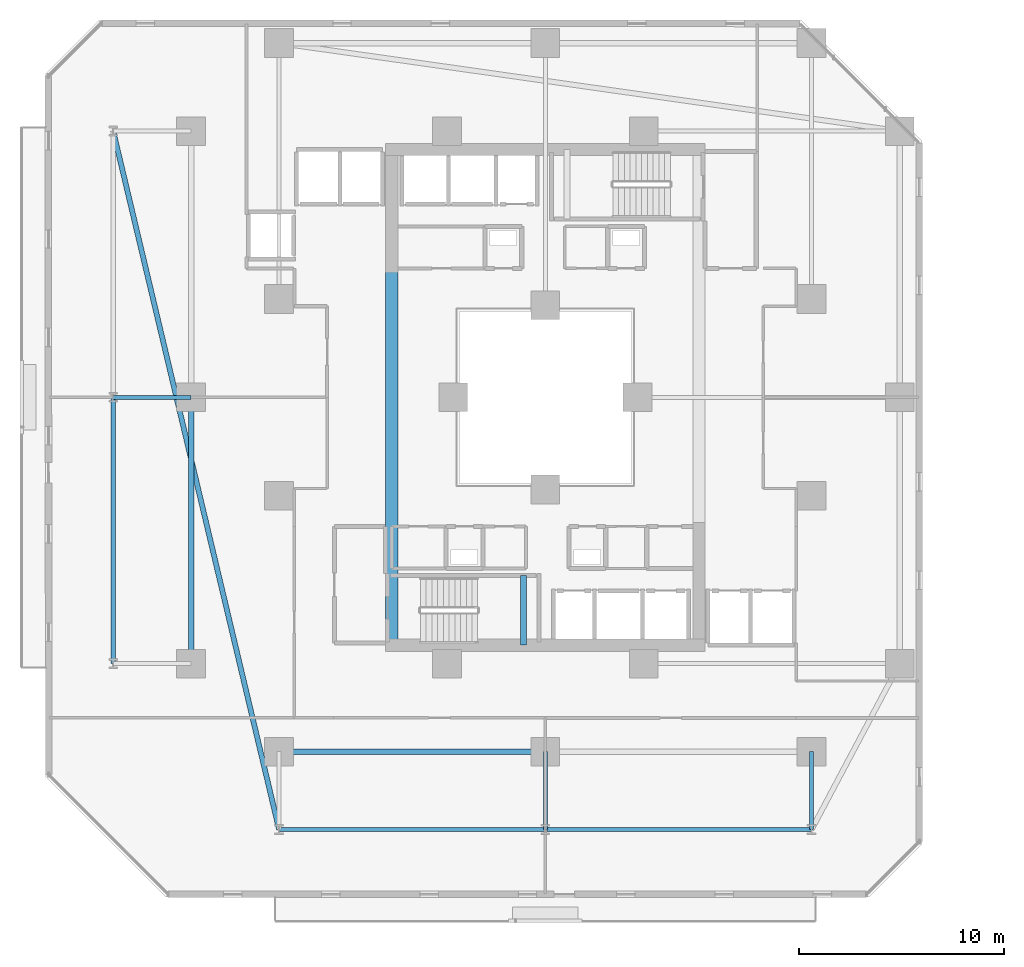
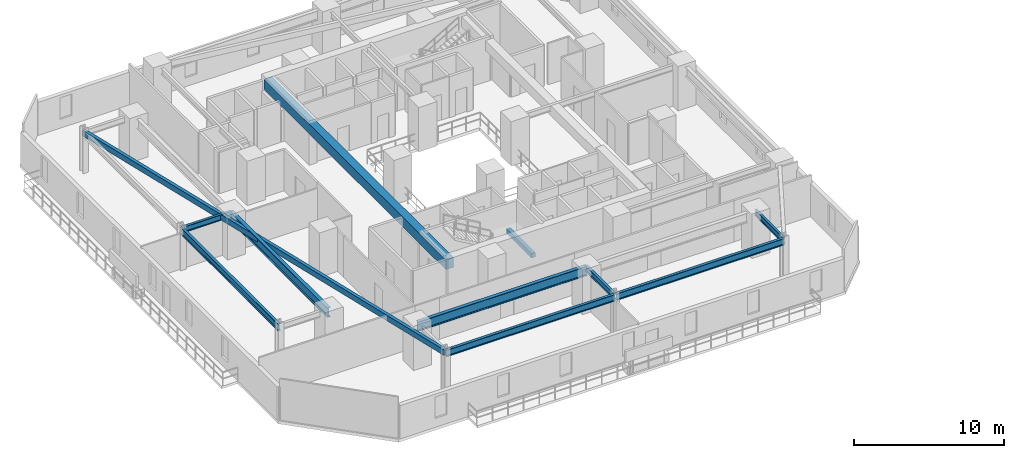
# One storey, part 4 of 33: 11 beams.
"""IFC4 building model written with IfcOpenShell, lengths in metres."""

import ifcopenshell
import ifcopenshell.guid

model = None  # the IFC model being written
_history = None  # IfcOwnerHistory: only IFC2X3 demands one
_inside = {}  # id of a spatial element -> (the spatial element, [elements in it])
_under = {}  # id of a project, library or spatial element -> (it, [spatial elements below it])
_declared = {}  # id of a project -> (the project, [libraries it declares])
_typed = {}  # id of a type object -> (the type object, [elements of that type])
_made_of = {}  # id of a material, layer set ... -> (it, [elements and type objects made of it])


def new_model(schema):
    """Start an empty IFC model of exactly this schema.

    Asked for "IFC4X3", IfcOpenShell would pick the latest addendum, in which some entities
    have other attributes; the version numbers below select the first issue.
    IFC2X3 requires an IfcOwnerHistory on every rooted entity: one is made here for all.
    """
    global model, _history
    if schema == "IFC4X3":
        model = ifcopenshell.file(schema_version=(4, 3, 0, 0))
    else:
        model = ifcopenshell.file(schema=schema)
    _inside.clear()
    _under.clear()
    _declared.clear()
    _typed.clear()
    _made_of.clear()
    _history = None
    if model.schema == "IFC2X3":
        org = make("IfcOrganization", Name="unknown")
        user = make(
            "IfcPersonAndOrganization",
            ThePerson=make("IfcPerson", FamilyName="unknown"),
            TheOrganization=org,
        )
        app = make(
            "IfcApplication",
            ApplicationDeveloper=org,
            Version="unknown",
            ApplicationFullName="unknown",
            ApplicationIdentifier="unknown",
        )
        _history = make(
            "IfcOwnerHistory",
            OwningUser=user,
            OwningApplication=app,
            ChangeAction="ADDED",
            CreationDate=0,
        )
    return model


def make(cls, **values):
    """One entity of the class cls with the attributes given. An attribute that is None is left unset."""
    return model.create_entity(
        cls, **{name: value for name, value in values.items() if value is not None}
    )


def rooted(cls, **values):
    """An entity with a GlobalId (a new one), such as an element, a storey or a relation."""
    return make(cls, GlobalId=ifcopenshell.guid.new(), OwnerHistory=_history, **values)


def si_unit(unit_type, name, prefix=None):
    """IfcSIUnit, for example si_unit("LENGTHUNIT", "METRE", prefix="MILLI")."""
    return make("IfcSIUnit", UnitType=unit_type, Prefix=prefix, Name=name)


def assignment(units):
    """IfcUnitAssignment: the units of a project."""
    return None if units is None else make("IfcUnitAssignment", Units=units)


def point(xyz):
    """IfcCartesianPoint."""
    return None if xyz is None else make("IfcCartesianPoint", Coordinates=xyz)


def direction(xyz):
    """IfcDirection."""
    return None if xyz is None else make("IfcDirection", DirectionRatios=xyz)


def frame(location, z_axis=None, x_axis=None):
    """IfcAxis2Placement3D, a coordinate frame: its origin and axes. An axis left out is left unset."""
    return make(
        "IfcAxis2Placement3D",
        Location=point(location),
        Axis=direction(z_axis),
        RefDirection=direction(x_axis),
    )


def frame_2d(location, x_axis=None):
    """IfcAxis2Placement2D, a coordinate frame in the plane: its origin and x axis."""
    return make(
        "IfcAxis2Placement2D", Location=point(location), RefDirection=direction(x_axis)
    )


def origin():
    """The frame at (0, 0, 0) with its axes left unset."""
    return frame((0.0, 0.0, 0.0))


def origin_2d():
    """The frame at (0, 0) in the plane with its x axis left unset."""
    return frame_2d((0.0, 0.0))


def place(relative_to, where):
    """IfcLocalPlacement: puts the frame where relative to a parent placement (None: the world)."""
    return make(
        "IfcLocalPlacement", PlacementRelTo=relative_to, RelativePlacement=where
    )


def context(
    kind, dimensions, precision=None, world=None, true_north=None, identifier=None
):
    """IfcGeometricRepresentationContext, for example the 3D "Model" context."""
    return make(
        "IfcGeometricRepresentationContext",
        ContextIdentifier=identifier,
        ContextType=kind,
        CoordinateSpaceDimension=dimensions,
        Precision=precision,
        WorldCoordinateSystem=world,
        TrueNorth=true_north,
    )


def subcontext(parent, identifier, kind, view, scale=None):
    """IfcGeometricRepresentationSubContext, for example "Body" below "Model"."""
    return make(
        "IfcGeometricRepresentationSubContext",
        ContextIdentifier=identifier,
        ContextType=kind,
        ParentContext=parent,
        TargetScale=scale,
        TargetView=view,
    )


def project(units=None, contexts=None):
    """IfcProject with its units and contexts."""
    return rooted(
        "IfcProject",
        Name="project",
        RepresentationContexts=contexts,
        UnitsInContext=assignment(units),
    )


def spatial(cls, under=None, at=None, **own):
    """A site, building, storey or space (cls), placed at a placement, below another one or the project."""
    s = rooted(cls, ObjectPlacement=at, **own)
    if under is not None:
        _under.setdefault(under.id(), (under, []))[1].append(s)
    return s


def profile(cls, at=None, kind="AREA", **sizes):
    """A parametric profile (cls). Its sizes go by their IFC names, for example OverallWidth=200.0."""
    return make(cls, ProfileType=kind, Position=at, **sizes)


def rectangle(**sizes):
    """IfcRectangleProfileDef."""
    return profile("IfcRectangleProfileDef", **sizes)


def hollow_rectangle(**sizes):
    """IfcRectangleHollowProfileDef."""
    return profile("IfcRectangleHollowProfileDef", **sizes)


def i_section(**sizes):
    """IfcIShapeProfileDef."""
    return profile("IfcIShapeProfileDef", **sizes)


def extrude(swept, where, along, depth):
    """IfcExtrudedAreaSolid: the profile swept, set in the frame where, extruded along a direction by depth."""
    return make(
        "IfcExtrudedAreaSolid",
        SweptArea=swept,
        Position=where,
        ExtrudedDirection=direction(along),
        Depth=depth,
    )


def shape(context_of_items, identifier, shape_type, items):
    """IfcShapeRepresentation: the items that make up one representation, for example the "Body"."""
    return make(
        "IfcShapeRepresentation",
        ContextOfItems=context_of_items,
        RepresentationIdentifier=identifier,
        RepresentationType=shape_type,
        Items=items,
    )


def material(Name=None, Category=None):
    """IfcMaterial."""
    return make("IfcMaterial", Name=Name, Category=Category)


def material_profile(
    of_material, cross_section, Name=None, Category=None, Priority=None
):
    """IfcMaterialProfile: a cross section and its material."""
    return make(
        "IfcMaterialProfile",
        Name=Name,
        Material=of_material,
        Profile=cross_section,
        Priority=Priority,
        Category=Category,
    )


def profile_set(profiles, Name=None, composite=None):
    """IfcMaterialProfileSet."""
    return make(
        "IfcMaterialProfileSet",
        Name=Name,
        MaterialProfiles=profiles,
        CompositeProfile=composite,
    )


def made_of(thing, what):
    """Note that an element or type object is made of a material, layer set ...; save() writes the relation."""
    if what is not None:
        _made_of.setdefault(what.id(), (what, []))[1].append(thing)
    return thing


def type_object(cls, material=None, **own):
    """A type object (cls), such as IfcWallType, which elements share."""
    return made_of(rooted(cls, **own), material)


def element(
    cls,
    number,
    at=None,
    inside=None,
    cuts=None,
    type_object=None,
    material=None,
    context=None,
    identifier="Body",
    shape_type=None,
    held_by="IfcProductDefinitionShape",
    body=None,
    shapes=None,
    **own,
):
    """One element of the class cls, such as IfcWall. Its Tag is "e" and its number.

    at: its placement. inside: the storey or other place that contains it. cuts: it is an
    opening in that element (IfcRelVoidsElement). A single representation is given by context,
    identifier, shape_type and body (its items); several are given by shapes. held_by: the class
    of the entity that holds the representations. save() writes the other relations.
    """
    e = rooted(cls, Tag="e%d" % number, ObjectPlacement=at, **own)
    if body is not None:
        shapes = [shape(context, identifier, shape_type, body)]
    if shapes is not None:
        e.Representation = make(held_by, Representations=shapes)
    if inside is not None:
        _inside.setdefault(inside.id(), (inside, []))[1].append(e)
    if cuts is not None:
        rooted(
            "IfcRelVoidsElement", RelatingBuildingElement=cuts, RelatedOpeningElement=e
        )
    if type_object is not None:
        _typed.setdefault(type_object.id(), (type_object, []))[1].append(e)
    return made_of(e, material)


def aggregate(whole, parts):
    """IfcRelAggregates: a whole, such as a stair, and the parts it consists of."""
    return rooted("IfcRelAggregates", RelatingObject=whole, RelatedObjects=parts)


def save(model, path):
    """Write the relations noted so far, then the file.

    IfcRelAggregates (storeys below a building ...), IfcRelContainedInSpatialStructure (elements
    in a storey), IfcRelDefinesByType, IfcRelAssociatesMaterial and IfcRelDeclares: one each for
    every whole, place, type object, material and project.
    """
    for whole, parts in _under.values():
        aggregate(whole, parts)
    for where, things in _inside.values():
        rooted(
            "IfcRelContainedInSpatialStructure",
            RelatedElements=things,
            RelatingStructure=where,
        )
    for kind, things in _typed.values():
        rooted("IfcRelDefinesByType", RelatedObjects=things, RelatingType=kind)
    for what, things in _made_of.values():
        rooted("IfcRelAssociatesMaterial", RelatedObjects=things, RelatingMaterial=what)
    for by, libraries in _declared.values():
        rooted("IfcRelDeclares", RelatingContext=by, RelatedDefinitions=libraries)
    model.write(path)


model = new_model("IFC4")

# Units and contexts
model_context = context("Model", 3, precision=1e-05, world=origin(), true_north=direction((0.0, 1.0)))
body_context = subcontext(model_context, "Body", "Model", "MODEL_VIEW")
ifc_project = project(units=[si_unit("LENGTHUNIT", "METRE"), si_unit("AREAUNIT", "SQUARE_METRE"), si_unit("VOLUMEUNIT", "CUBIC_METRE"), si_unit("PLANEANGLEUNIT", "RADIAN"), si_unit("MASSUNIT", "GRAM", prefix="KILO")], contexts=[model_context])

# Site, building, storey
site_placement = place(None, origin())
site = spatial("IfcSite", under=ifc_project, at=site_placement, CompositionType="ELEMENT")
building_placement = place(site_placement, origin())
building = spatial("IfcBuilding", under=site, at=building_placement, Name="Thornwick Lancets Civic Towers", CompositionType="ELEMENT")
storey_placement = place(building_placement, frame((0.0, 0.0, 31.5)))
storey = spatial("IfcBuildingStorey", under=building, at=storey_placement, Name="L07", CompositionType="ELEMENT", Elevation=31.5)

# Beams
ifc_material_1 = material(Name="Concrete C60/75", Category="concrete")
ifc_material_profile_1 = material_profile(ifc_material_1, rectangle(XDim=0.60009765625, YDim=0.800048828125, at=origin_2d()), Name="RC 600x800")
ifc_profile_set_1 = profile_set([ifc_material_profile_1], Name="Concrete C60/75")
beam_type_1 = type_object("IfcBeamType", Name="BM_COUP_RC800", PredefinedType="BEAM", material=ifc_profile_set_1)
beam_1_placement = place(storey_placement, frame((18.0, 14.89990234375, 2.9599609375), z_axis=(0.0, 1.0, 0.0), x_axis=(-1.0, 0.0, 0.0)))
element("IfcBeam", 1, at=beam_1_placement, inside=storey, type_object=beam_type_1, Name="CB-L07-A2", PredefinedType="BEAM", context=body_context, shape_type="SweptSolid", body=[
    extrude(rectangle(XDim=0.60009765625, YDim=0.800048828125, at=origin_2d()), origin(), (0.0, 0.0, 1.0), 24.2001953125),
])
ifc_material_2 = material(Name="Steel S355JR", Category="steel")
ifc_material_profile_2 = material_profile(ifc_material_2, i_section(OverallWidth=0.2119140625, OverallDepth=0.54443359375, WebThickness=0.0126953125, FlangeThickness=0.021240234375, FilletRadius=0.0126953125, at=origin_2d()), Name="UKB 533x210x122")
ifc_profile_set_2 = profile_set([ifc_material_profile_2], Name="Steel S355JR")
beam_type_2 = type_object("IfcBeamType", Name="BM_EDGE_533_122", PredefinedType="SPANDREL", material=ifc_profile_set_2)
beam_2_placement = place(storey_placement, frame((12.5, 5.89990234375, 3.087646484375), z_axis=(1.0, 0.0, 0.0), x_axis=(0.0, 1.0, 0.0)))
element("IfcBeam", 2, at=beam_2_placement, inside=storey, type_object=beam_type_2, Name="BM-EDGE-L07-A-S0-1", PredefinedType="SPANDREL", context=body_context, shape_type="SweptSolid", body=[
    extrude(i_section(OverallWidth=0.2119140625, OverallDepth=0.54443359375, WebThickness=0.0126953125, FlangeThickness=0.021240234375, FilletRadius=0.0126953125, at=origin_2d()), origin(), (0.0, 0.0, 1.0), 13.0),
])
beam_3_placement = place(storey_placement, frame((25.580078125, 5.89990234375, 3.087646484375), z_axis=(1.0, 0.0, 0.0), x_axis=(0.0, 1.0, 0.0)))
element("IfcBeam", 3, at=beam_3_placement, inside=storey, type_object=beam_type_2, Name="BM-EDGE-L07-A-S0-2", PredefinedType="SPANDREL", context=body_context, shape_type="SweptSolid", body=[
    extrude(i_section(OverallWidth=0.2119140625, OverallDepth=0.54443359375, WebThickness=0.0126953125, FlangeThickness=0.021240234375, FilletRadius=0.0126953125, at=origin_2d()), origin(), (0.0, 0.0, 1.0), 12.919921875),
])
beam_4_placement = place(storey_placement, frame((4.39990234375, 14.0, 3.087646484375), z_axis=(0.0, 1.0, 0.0), x_axis=(-1.0, 0.0, 0.0)))
element("IfcBeam", 4, at=beam_4_placement, inside=storey, type_object=beam_type_2, Name="BM-EDGE-L07-A-S3-1", PredefinedType="SPANDREL", context=body_context, shape_type="SweptSolid", body=[
    extrude(i_section(OverallWidth=0.2119140625, OverallDepth=0.54443359375, WebThickness=0.0126953125, FlangeThickness=0.021240234375, FilletRadius=0.0126953125, at=origin_2d()), origin(), (0.0, 0.0, 1.0), 13.0),
])
ifc_material_profile_3 = material_profile(ifc_material_2, i_section(OverallWidth=0.26806640625, OverallDepth=0.769775390625, WebThickness=0.015625, FlangeThickness=0.025390625, FilletRadius=0.0166015625, at=origin_2d()), Name="UKB 762x267x197")
ifc_profile_set_3 = profile_set([ifc_material_profile_3], Name="Steel S355JR")
beam_type_3 = type_object("IfcBeamType", Name="BM_GIRD_762_197", PredefinedType="BEAM", material=ifc_profile_set_3)
for number, where, z_axis, x_axis, name in (
    (5, (12.5, 9.699951171875, 2.97509765625), (1.0, 0.0, 0.0), (0.0, 1.0, 0.0), "BM-SPINE-L07-A-0-1"),
    (6, (8.199951171875, 14.0, 2.97509765625), (0.0, 1.0, 0.0), (-1.0, 0.0, 0.0), "BM-SPINE-L07-A-9-10"),
):
    element("IfcBeam", number, at=place(storey_placement, frame(where, z_axis=z_axis, x_axis=x_axis)), inside=storey, type_object=beam_type_3, Name=name, PredefinedType="BEAM", context=body_context, shape_type="SweptSolid", body=[
        extrude(i_section(OverallWidth=0.26806640625, OverallDepth=0.769775390625, WebThickness=0.015625, FlangeThickness=0.025390625, FilletRadius=0.0166015625, at=origin_2d()), origin(), (0.0, 0.0, 1.0), 13.0),
    ])
ifc_material_profile_4 = material_profile(ifc_material_2, i_section(OverallWidth=0.19287109375, OverallDepth=0.46728515625, WebThickness=0.011474609375, FlangeThickness=0.01953125, FilletRadius=0.01025390625, at=origin_2d()), Name="UKB 457x191x98")
ifc_profile_set_4 = profile_set([ifc_material_profile_4], Name="Steel S355JR")
beam_type_4 = type_object("IfcBeamType", Name="BM_JOIST_457_98", PredefinedType="JOIST", material=ifc_profile_set_4)
for number, where, z_axis, x_axis, name in (
    (7, (25.5, 9.699951171875, 3.12646484375), (0.0, -1.0, 0.0), (1.0, 0.0, 0.0), "BM-RAD-L07-A02"),
    (8, (38.5, 9.699951171875, 3.12646484375), (0.0, -1.0, 0.0), (1.0, 0.0, 0.0), "BM-RAD-L07-A03"),
    (9, (8.199951171875, 27.0, 3.12646484375), (-1.0, 0.0, 0.0), (0.0, -1.0, 0.0), "BM-RAD-L07-A11"),
):
    element("IfcBeam", number, at=place(storey_placement, frame(where, z_axis=z_axis, x_axis=x_axis)), inside=storey, type_object=beam_type_4, Name=name, PredefinedType="JOIST", context=body_context, shape_type="SweptSolid", body=[
        extrude(i_section(OverallWidth=0.19287109375, OverallDepth=0.46728515625, WebThickness=0.011474609375, FlangeThickness=0.01953125, FilletRadius=0.01025390625, at=origin_2d()), origin(), (0.0, 0.0, 1.0), 3.800048828125),
    ])
ifc_material_profile_5 = material_profile(ifc_material_2, hollow_rectangle(XDim=0.25, YDim=0.449951171875, WallThickness=0.01611328125, at=origin_2d()), Name="RHS 450x250x16")
ifc_profile_set_5 = profile_set([ifc_material_profile_5], Name="Steel S355JR")
beam_type_5 = type_object("IfcBeamType", Name="BM_RING_RHS450", PredefinedType="BEAM", material=ifc_profile_set_5)
beam_5_placement = place(storey_placement, frame((4.39990234375, 40.0, 3.135009765625), z_axis=(0.231108201875, -0.972928054394, 0.0), x_axis=(0.972928054394, 0.231108201875, 0.0)))
element("IfcBeam", 10, at=beam_5_placement, inside=storey, type_object=beam_type_5, Name="BM-CHAMF-L07-A-C3", PredefinedType="BEAM", context=body_context, shape_type="SweptSolid", body=[
    extrude(hollow_rectangle(XDim=0.25, YDim=0.449951171875, WallThickness=0.01611328125, at=origin_2d()), origin(), (0.0, 0.0, 1.0), 35.048828125),
])
ifc_material_3 = material(Name="Concrete C40/50", Category="concrete")
ifc_material_profile_6 = material_profile(ifc_material_3, rectangle(XDim=0.300048828125, YDim=0.35009765625, at=origin_2d()), Name="RC 300x350")
ifc_profile_set_6 = profile_set([ifc_material_profile_6], Name="Concrete C40/50")
beam_type_6 = type_object("IfcBeamType", Name="BM_STAIR_LDG", PredefinedType="BEAM", material=ifc_profile_set_6)
beam_6_placement = place(storey_placement, frame((24.43505859375, 14.89990234375, 1.3779296875), z_axis=(0.0, 1.0, 0.0), x_axis=(-1.0, 0.0, 0.0)))
element("IfcBeam", 11, at=beam_6_placement, inside=storey, type_object=beam_type_6, Name="L07 ST-A1 Landing Support Beam 1", PredefinedType="BEAM", context=body_context, shape_type="SweptSolid", body=[
    extrude(rectangle(XDim=0.300048828125, YDim=0.35009765625, at=origin_2d()), origin(), (0.0, 0.0, 1.0), 3.400146484375),
])

save(model, "model.ifc")
